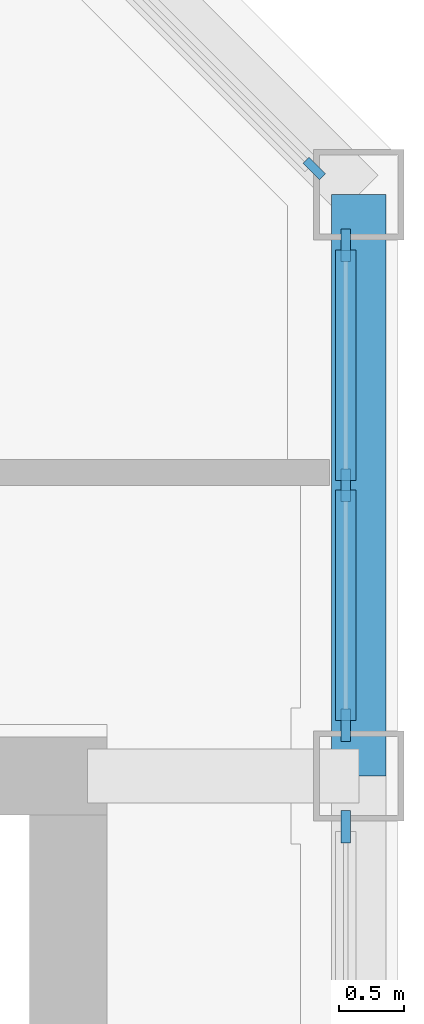
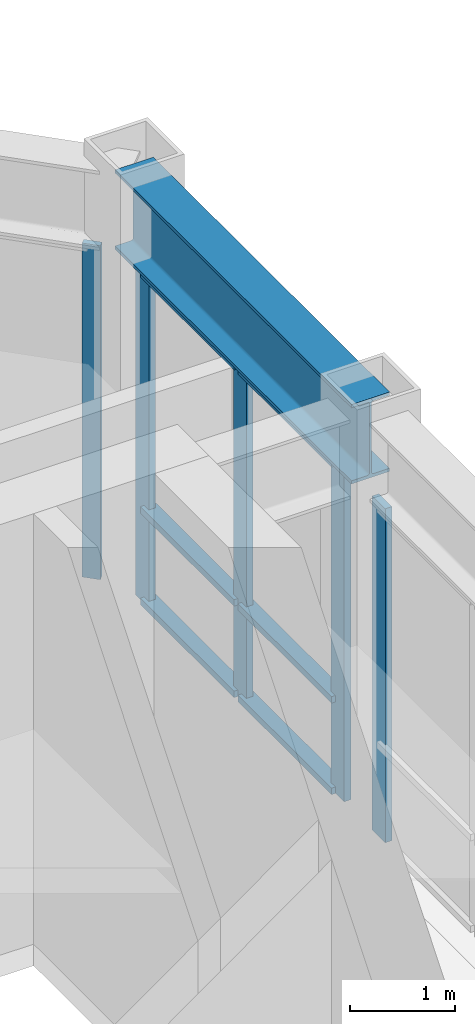
# One storey, part 6 of 15: 11 members, 1 beam, 3 elements without a shape of their own.
"""IFC4 building model written with IfcOpenShell, lengths in metres."""

from ifc_helpers import new_model, si_unit, direction, frame, origin, origin_2d, place, context, subcontext, project, spatial, rectangle, i_section, extrude, material, material_profile, profile_set, type_object, element, aggregate, save


model = new_model("IFC4")

# Units and contexts
model_context = context("Model", 3, precision=1e-05, world=origin(), true_north=direction((0.0, 1.0)))
body_context = subcontext(model_context, "Body", "Model", "MODEL_VIEW")
ifc_project = project(units=[si_unit("LENGTHUNIT", "METRE"), si_unit("AREAUNIT", "SQUARE_METRE"), si_unit("VOLUMEUNIT", "CUBIC_METRE"), si_unit("PLANEANGLEUNIT", "RADIAN"), si_unit("MASSUNIT", "GRAM", prefix="KILO")], contexts=[model_context])

# Site, building, storey
site_placement = place(None, origin())
site = spatial("IfcSite", under=ifc_project, at=site_placement, CompositionType="ELEMENT")
building_placement = place(site_placement, origin())
building = spatial("IfcBuilding", under=site, at=building_placement, Name="Msasa Ring Tower", CompositionType="ELEMENT")
storey_placement = place(building_placement, frame((0.0, 0.0, 195.800048828125)))
storey = spatial("IfcBuildingStorey", under=building, at=storey_placement, Name="L51", CompositionType="ELEMENT", Elevation=195.800048828125)

# Curtain wall, member
ifc_material_1 = material(Name="Aluminium curtain wall with clear glass", Category="aluminium")
curtain_wall_type_1 = type_object("IfcCurtainWallType", Name="CW-C CHAMFER CORNER CURTAIN WALL", PredefinedType="NOTDEFINED", material=ifc_material_1)
curtain_wall_1_placement = place(storey_placement, origin())
curtain_wall_1 = element("IfcCurtainWall", 1, at=curtain_wall_1_placement, inside=storey, type_object=curtain_wall_type_1, Name="Chamfer corner curtain wall NE L51", PredefinedType="NOTDEFINED")
ifc_material_2 = material(Name="Aluminium mullion", Category="aluminium")
ifc_material_profile_1 = material_profile(ifc_material_2, rectangle(XDim=0.06494140625, YDim=0.179931640625, at=origin_2d()), Name="AL 65x180")
ifc_profile_set_1 = profile_set([ifc_material_profile_1], Name="Aluminium mullion")
member_type_1 = type_object("IfcMemberType", Name="CW-C MULLION 65x180", PredefinedType="MULLION", material=ifc_profile_set_1)
member_1_placement = place(storey_placement, frame((19.9052734375, 11.453369140625, 0.0), z_axis=(0.0, 0.0, 1.0), x_axis=(-0.707106781187, -0.707106781187, 0.0)))
member_1 = element("IfcMember", 2, at=member_1_placement, type_object=member_type_1, Name="CW-C mullion 1", PredefinedType="MULLION", context=body_context, shape_type="SweptSolid", body=[
    extrude(rectangle(XDim=0.06494140625, YDim=0.179931640625, at=origin_2d()), origin(), (0.0, 0.0, 1.0), 3.87890625),
])
aggregate(curtain_wall_1, [member_1])

ifc_material_3 = material(Name="Aluminium curtain wall with clear glass", Category="aluminium")
curtain_wall_type_2 = type_object("IfcCurtainWallType", Name="CW-S SKY LOBBY CURTAIN WALL", PredefinedType="NOTDEFINED", material=ifc_material_3)
curtain_wall_2_placement = place(storey_placement, origin())
curtain_wall_2 = element("IfcCurtainWall", 3, at=curtain_wall_2_placement, inside=storey, type_object=curtain_wall_type_2, Name="Sky lobby curtain wall E L51", PredefinedType="NOTDEFINED")
ifc_material_4 = material(Name="Aluminium mullion", Category="aluminium")
ifc_material_profile_2 = material_profile(ifc_material_4, rectangle(XDim=0.074951171875, YDim=0.25, at=origin_2d()), Name="AL 75x250")
ifc_profile_set_2 = profile_set([ifc_material_profile_2], Name="Aluminium mullion")
member_type_2 = type_object("IfcMemberType", Name="CW-S MULLION 75x250", PredefinedType="MULLION", material=ifc_profile_set_2)
member_2_placement = place(storey_placement, frame((20.14990234375, 6.357421875, 0.0), z_axis=(0.0, 0.0, 1.0), x_axis=(-1.0, 0.0, 0.0)))
member_2 = element("IfcMember", 4, at=member_2_placement, type_object=member_type_2, Name="CW-S mullion 3", PredefinedType="MULLION", context=body_context, shape_type="SweptSolid", body=[
    extrude(rectangle(XDim=0.074951171875, YDim=0.25, at=origin_2d()), origin(), (0.0, 0.0, 1.0), 3.87890625),
])
aggregate(curtain_wall_2, [member_2])

# Curtain wall, members
curtain_wall_3_placement = place(storey_placement, origin())
curtain_wall_3 = element("IfcCurtainWall", 5, at=curtain_wall_3_placement, inside=storey, type_object=curtain_wall_type_2, Name="Sky lobby curtain wall E L51", PredefinedType="NOTDEFINED")
member_3_placement = place(storey_placement, frame((20.14990234375, 7.142578125, 0.0), z_axis=(0.0, 0.0, 1.0), x_axis=(-1.0, 0.0, 0.0)))
member_3 = element("IfcMember", 6, at=member_3_placement, type_object=member_type_2, Name="CW-S mullion 1", PredefinedType="MULLION", context=body_context, shape_type="SweptSolid", body=[
    extrude(rectangle(XDim=0.074951171875, YDim=0.25, at=origin_2d()), origin(), (0.0, 0.0, 1.0), 3.87890625),
])
member_4_placement = place(storey_placement, frame((20.14990234375, 9.0, 0.0), z_axis=(0.0, 0.0, 1.0), x_axis=(-1.0, 0.0, 0.0)))
member_4 = element("IfcMember", 7, at=member_4_placement, type_object=member_type_2, Name="CW-S mullion 2", PredefinedType="MULLION", context=body_context, shape_type="SweptSolid", body=[
    extrude(rectangle(XDim=0.074951171875, YDim=0.25, at=origin_2d()), origin(), (0.0, 0.0, 1.0), 3.87890625),
])
member_5_placement = place(storey_placement, frame((20.14990234375, 10.857421875, 0.0), z_axis=(0.0, 0.0, 1.0), x_axis=(-1.0, 0.0, 0.0)))
member_5 = element("IfcMember", 8, at=member_5_placement, type_object=member_type_2, Name="CW-S mullion 3", PredefinedType="MULLION", context=body_context, shape_type="SweptSolid", body=[
    extrude(rectangle(XDim=0.074951171875, YDim=0.25, at=origin_2d()), origin(), (0.0, 0.0, 1.0), 3.87890625),
])
ifc_material_5 = material(Name="Aluminium transom", Category="aluminium")
ifc_material_profile_3 = material_profile(ifc_material_5, rectangle(XDim=0.159912109375, YDim=0.074951171875, at=origin_2d()), Name="AL 75x160")
ifc_profile_set_3 = profile_set([ifc_material_profile_3], Name="Aluminium transom")
member_type_3 = type_object("IfcMemberType", Name="CW-S TRANSOM 75x160", PredefinedType="USERDEFINED", material=ifc_profile_set_3)
member_6_placement = place(storey_placement, frame((20.14990234375, 7.179931640625, 0.037353515625), z_axis=(0.0, 1.0, 0.0), x_axis=(-1.0, 0.0, 0.0)))
member_6 = element("IfcMember", 9, at=member_6_placement, type_object=member_type_3, Name="CW-S transom 1.1", ObjectType="TRANSOM", PredefinedType="USERDEFINED", context=body_context, shape_type="SweptSolid", body=[
    extrude(rectangle(XDim=0.159912109375, YDim=0.074951171875, at=origin_2d()), origin(), (0.0, 0.0, 1.0), 1.782470703125),
])
member_7_placement = place(storey_placement, frame((20.14990234375, 7.179931640625, 1.099853515625), z_axis=(0.0, 1.0, 0.0), x_axis=(-1.0, 0.0, 0.0)))
member_7 = element("IfcMember", 10, at=member_7_placement, type_object=member_type_3, Name="CW-S transom 1.2", ObjectType="TRANSOM", PredefinedType="USERDEFINED", context=body_context, shape_type="SweptSolid", body=[
    extrude(rectangle(XDim=0.159912109375, YDim=0.074951171875, at=origin_2d()), origin(), (0.0, 0.0, 1.0), 1.782470703125),
])
member_8_placement = place(storey_placement, frame((20.14990234375, 7.179931640625, 3.841552734375), z_axis=(0.0, 1.0, 0.0), x_axis=(-1.0, 0.0, 0.0)))
member_8 = element("IfcMember", 11, at=member_8_placement, type_object=member_type_3, Name="CW-S transom 1.3", ObjectType="TRANSOM", PredefinedType="USERDEFINED", context=body_context, shape_type="SweptSolid", body=[
    extrude(rectangle(XDim=0.159912109375, YDim=0.074951171875, at=origin_2d()), origin(), (0.0, 0.0, 1.0), 1.782470703125),
])
member_9_placement = place(storey_placement, frame((20.14990234375, 9.03759765625, 0.037353515625), z_axis=(0.0, 1.0, 0.0), x_axis=(-1.0, 0.0, 0.0)))
member_9 = element("IfcMember", 12, at=member_9_placement, type_object=member_type_3, Name="CW-S transom 2.1", ObjectType="TRANSOM", PredefinedType="USERDEFINED", context=body_context, shape_type="SweptSolid", body=[
    extrude(rectangle(XDim=0.159912109375, YDim=0.074951171875, at=origin_2d()), origin(), (0.0, 0.0, 1.0), 1.782470703125),
])
member_10_placement = place(storey_placement, frame((20.14990234375, 9.03759765625, 1.099853515625), z_axis=(0.0, 1.0, 0.0), x_axis=(-1.0, 0.0, 0.0)))
member_10 = element("IfcMember", 13, at=member_10_placement, type_object=member_type_3, Name="CW-S transom 2.2", ObjectType="TRANSOM", PredefinedType="USERDEFINED", context=body_context, shape_type="SweptSolid", body=[
    extrude(rectangle(XDim=0.159912109375, YDim=0.074951171875, at=origin_2d()), origin(), (0.0, 0.0, 1.0), 1.782470703125),
])
member_11_placement = place(storey_placement, frame((20.14990234375, 9.03759765625, 3.841552734375), z_axis=(0.0, 1.0, 0.0), x_axis=(-1.0, 0.0, 0.0)))
member_11 = element("IfcMember", 14, at=member_11_placement, type_object=member_type_3, Name="CW-S transom 2.3", ObjectType="TRANSOM", PredefinedType="USERDEFINED", context=body_context, shape_type="SweptSolid", body=[
    extrude(rectangle(XDim=0.159912109375, YDim=0.074951171875, at=origin_2d()), origin(), (0.0, 0.0, 1.0), 1.782470703125),
])
aggregate(curtain_wall_3, [member_3, member_4, member_5, member_6, member_7, member_8, member_9, member_10, member_11])

# Beam
ifc_material_6 = material(Name="Steel S355", Category="steel")
ifc_material_profile_4 = material_profile(ifc_material_6, i_section(OverallWidth=0.42041015625, OverallDepth=0.9208984375, WebThickness=0.021484375, FlangeThickness=0.03662109375, FilletRadius=0.024169921875, at=origin_2d()), Name="UB 914x419x388")
ifc_profile_set_4 = profile_set([ifc_material_profile_4], Name="Steel S355")
beam_type = type_object("IfcBeamType", Name="SB1 UB 914x419x388", PredefinedType="SPANDREL", material=ifc_profile_set_4)
beam_placement = place(storey_placement, frame((20.25, 6.75, 4.33935546875), z_axis=(0.0, 1.0, 0.0), x_axis=(-1.0, 0.0, 0.0)))
element("IfcBeam", 15, at=beam_placement, inside=storey, type_object=beam_type, Name="Spandrel E+6.75 to E+11.25 under L52", PredefinedType="SPANDREL", context=body_context, shape_type="SweptSolid", body=[
    extrude(i_section(OverallWidth=0.42041015625, OverallDepth=0.9208984375, WebThickness=0.021484375, FlangeThickness=0.03662109375, FilletRadius=0.024169921875, at=origin_2d()), origin(), (0.0, 0.0, 1.0), 4.5),
])

save(model, "model.ifc")
